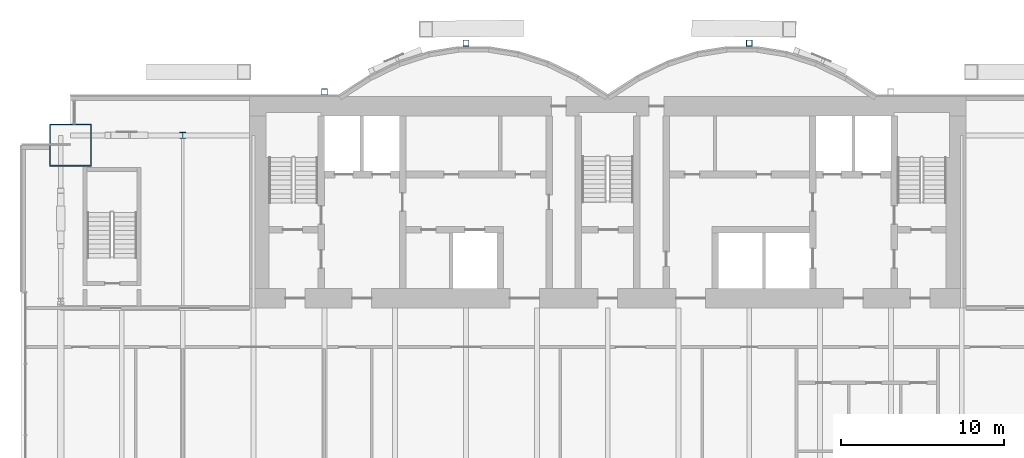
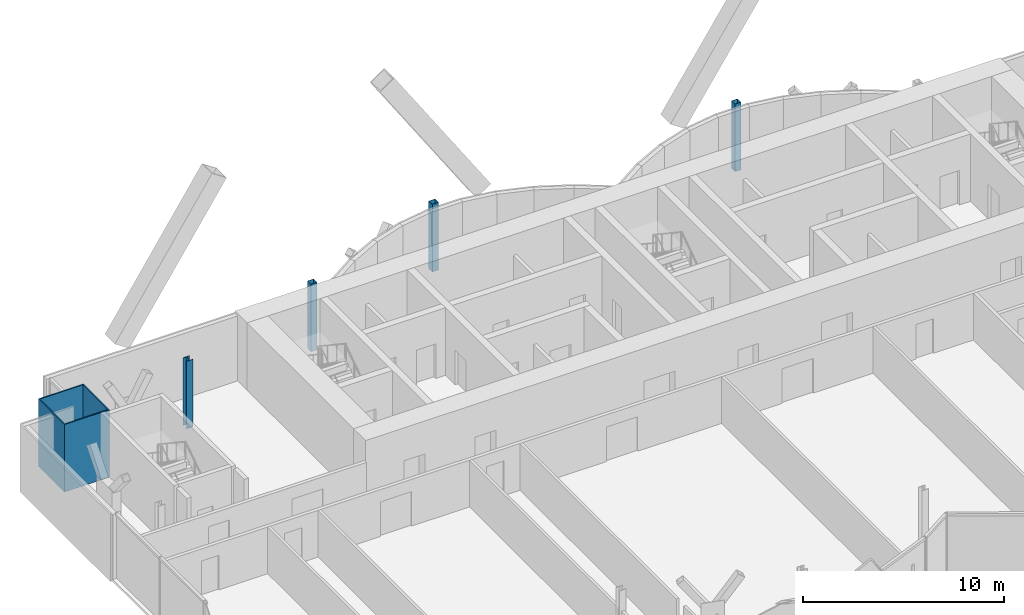
# One storey, part 3 of 21: 5 columns.
"""IFC4 building model written with IfcOpenShell, lengths in metres."""

from ifc_helpers import new_model, si_unit, direction, frame, origin, origin_2d, place, context, subcontext, project, spatial, hollow_rectangle, i_section, extrude, material, material_profile, profile_set, type_object, element, save


model = new_model("IFC4")

# Units and contexts
model_context = context("Model", 3, precision=1e-05, world=origin(), true_north=direction((0.0, 1.0)))
body_context = subcontext(model_context, "Body", "Model", "MODEL_VIEW")
ifc_project = project(units=[si_unit("LENGTHUNIT", "METRE"), si_unit("AREAUNIT", "SQUARE_METRE"), si_unit("VOLUMEUNIT", "CUBIC_METRE"), si_unit("PLANEANGLEUNIT", "RADIAN"), si_unit("MASSUNIT", "GRAM", prefix="KILO")], contexts=[model_context])

# Site, building, storey
site_placement = place(None, origin())
site = spatial("IfcSite", under=ifc_project, at=site_placement, CompositionType="ELEMENT")
building_placement = place(site_placement, origin())
building = spatial("IfcBuilding", under=site, at=building_placement, Name="Bicima Exchange Tower", CompositionType="ELEMENT")
storey_placement = place(building_placement, frame((0.0, 0.0, 195.0)))
storey = spatial("IfcBuildingStorey", under=building, at=storey_placement, Name="L43", CompositionType="ELEMENT", Elevation=195.0)

# Columns
ifc_material_1 = material(Name="Steel ASTM A572 Gr 50", Category="steel")
ifc_material_profile_1 = material_profile(ifc_material_1, hollow_rectangle(XDim=2.60009765625, YDim=2.60009765625, WallThickness=0.070068359375, at=origin_2d()))
ifc_profile_set_1 = profile_set([ifc_material_profile_1], Name="Steel ASTM A572 Gr 50")
column_type_1 = type_object("IfcColumnType", Name="Mega column BOX 2600x2600x70", PredefinedType="COLUMN", material=ifc_profile_set_1)
column_1_placement = place(storey_placement, frame((-33.0, -3.0, 0.0), z_axis=(0.0, 0.0, 1.0), x_axis=(1.0, 0.0, 0.0)))
element("IfcColumn", 1, at=column_1_placement, inside=storey, type_object=column_type_1, Name="Mega column mega-33.0r", PredefinedType="COLUMN", context=body_context, shape_type="SweptSolid", body=[
    extrude(hollow_rectangle(XDim=2.60009765625, YDim=2.60009765625, WallThickness=0.070068359375, at=origin_2d()), origin(), (0.0, 0.0, 1.0), 4.10009765625),
])
ifc_material_2 = material(Name="Steel ASTM A992 Gr 50", Category="steel")
ifc_material_profile_2 = material_profile(ifc_material_2, i_section(OverallWidth=0.373291015625, OverallDepth=0.373291015625, WebThickness=0.016357421875, FlangeThickness=0.026123046875, at=origin_2d()))
ifc_profile_set_2 = profile_set([ifc_material_profile_2], Name="Steel ASTM A992 Gr 50")
column_type_2 = type_object("IfcColumnType", Name="Perimeter column W14x132", PredefinedType="COLUMN", material=ifc_profile_set_2)
column_2_placement = place(storey_placement, frame((-26.10009765625, -2.39990234375, 0.0), z_axis=(0.0, 0.0, 1.0), x_axis=(1.0, 0.0, 0.0)))
element("IfcColumn", 2, at=column_2_placement, inside=storey, type_object=column_type_2, Name="Perimeter column grav-26.1r", PredefinedType="COLUMN", context=body_context, shape_type="SweptSolid", body=[
    extrude(i_section(OverallWidth=0.373291015625, OverallDepth=0.373291015625, WebThickness=0.016357421875, FlangeThickness=0.026123046875, at=origin_2d()), origin(), (0.0, 0.0, 1.0), 4.10009765625),
])
ifc_material_profile_3 = material_profile(ifc_material_1, hollow_rectangle(XDim=0.355712890625, YDim=0.355712890625, WallThickness=0.01171875, at=origin_2d()))
ifc_profile_set_3 = profile_set([ifc_material_profile_3], Name="Steel ASTM A572 Gr 50")
column_type_3 = type_object("IfcColumnType", Name="Rear pilaster HSS14x14x1/2", PredefinedType="COLUMN", material=ifc_profile_set_3)
for number, where, z_axis, x_axis, name in (
    (3, (-8.699951171875, 3.26904296875, 0.0), (0.0, 0.0, 1.0), (1.0, 0.0, 0.0), "Rear pilaster rexo-8.7r"),
    (4, (-17.39990234375, 0.278076171875, 0.0), (0.0, 0.0, 1.0), (1.0, 0.0, 0.0), "Rear pilaster rexo-17.4r"),
    (5, (8.699951171875, 3.26904296875, 0.0), (0.0, 0.0, 1.0), (1.0, 0.0, 0.0), "Rear pilaster rexo+8.7r"),
):
    element("IfcColumn", number, at=place(storey_placement, frame(where, z_axis=z_axis, x_axis=x_axis)), inside=storey, type_object=column_type_3, Name=name, PredefinedType="COLUMN", context=body_context, shape_type="SweptSolid", body=[
        extrude(hollow_rectangle(XDim=0.355712890625, YDim=0.355712890625, WallThickness=0.01171875, at=origin_2d()), origin(), (0.0, 0.0, 1.0), 4.10009765625),
    ])

save(model, "model.ifc")
